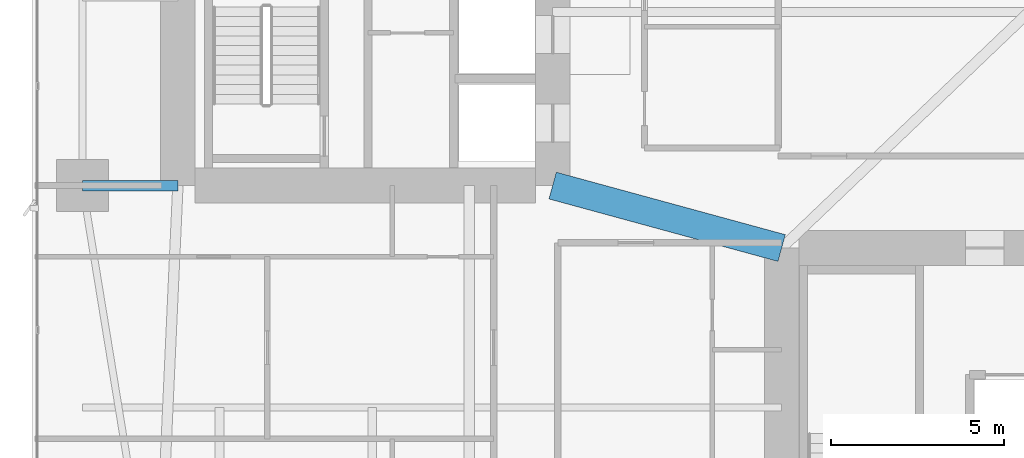
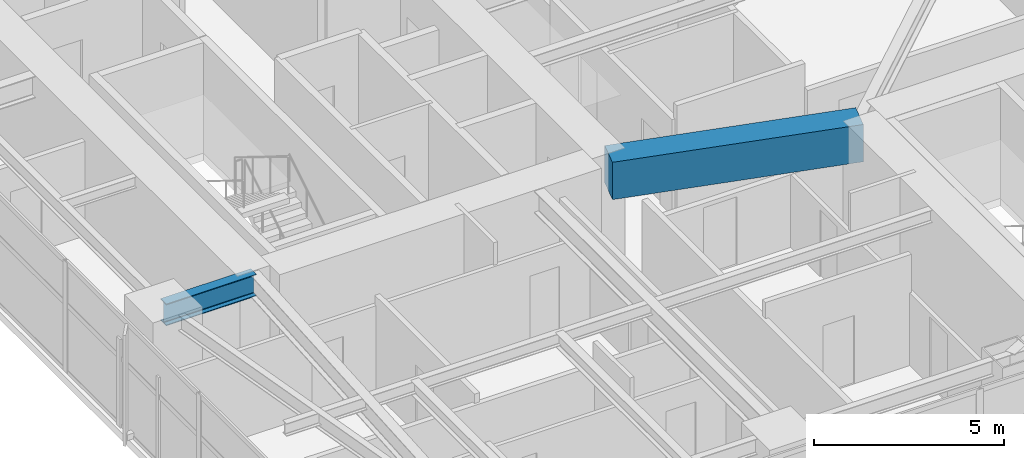
# One storey, part 7 of 29: 2 beams.
"""IFC4 building model written with IfcOpenShell, lengths in metres."""

from ifc_helpers import new_model, si_unit, direction, frame, origin, origin_2d, place, context, subcontext, project, spatial, rectangle, i_section, extrude, material, material_profile, profile_set, type_object, element, save


model = new_model("IFC4")

# Units and contexts
model_context = context("Model", 3, precision=1e-05, world=origin(), true_north=direction((0.0, 1.0)))
body_context = subcontext(model_context, "Body", "Model", "MODEL_VIEW")
ifc_project = project(units=[si_unit("LENGTHUNIT", "METRE"), si_unit("AREAUNIT", "SQUARE_METRE"), si_unit("VOLUMEUNIT", "CUBIC_METRE"), si_unit("PLANEANGLEUNIT", "RADIAN"), si_unit("MASSUNIT", "GRAM", prefix="KILO")], contexts=[model_context])

# Site, building, storey
site_placement = place(None, origin())
site = spatial("IfcSite", under=ifc_project, at=site_placement, CompositionType="ELEMENT")
building_placement = place(site_placement, origin())
building = spatial("IfcBuilding", under=site, at=building_placement, Name="Calvorn Quay Hotel", CompositionType="ELEMENT")
storey_placement = place(building_placement, frame((0.0, 0.0, 38.39990234375)))
storey = spatial("IfcBuildingStorey", under=building, at=storey_placement, Name="L08", CompositionType="ELEMENT", Elevation=38.39990234375)

# Beams
ifc_material_1 = material(Name="Steel Q390GJC", Category="steel")
ifc_material_profile_1 = material_profile(ifc_material_1, i_section(OverallWidth=0.300048828125, OverallDepth=0.699951171875, WebThickness=0.012939453125, FlangeThickness=0.02392578125, FilletRadius=0.02392578125, at=origin_2d()), Name="HN700x300x13x24")
ifc_profile_set_1 = profile_set([ifc_material_profile_1], Name="Steel Q390GJC")
beam_type_1 = type_object("IfcBeamType", Name="BM-GIRD-MAIN", PredefinedType="BEAM", material=ifc_profile_set_1)
beam_1_placement = place(storey_placement, frame((1.449951171875, 16.800048828125, 3.190185546875), z_axis=(1.0, 0.0, 0.0), x_axis=(0.0, 1.0, 0.0)))
element("IfcBeam", 1, at=beam_1_placement, inside=storey, type_object=beam_type_1, Name="Beam BG-L08-W1", PredefinedType="BEAM", context=body_context, shape_type="SweptSolid", body=[
    extrude(i_section(OverallWidth=0.300048828125, OverallDepth=0.699951171875, WebThickness=0.012939453125, FlangeThickness=0.02392578125, FilletRadius=0.02392578125, at=origin_2d()), origin(), (0.0, 0.0, 1.0), 2.75),
])
ifc_material_2 = material(Name="Concrete C60", Category="concrete")
ifc_material_profile_2 = material_profile(ifc_material_2, rectangle(XDim=0.800048828125, YDim=1.199951171875, at=origin_2d()), Name="RCB800x1200")
ifc_profile_set_2 = profile_set([ifc_material_profile_2], Name="Concrete C60")
beam_type_2 = type_object("IfcBeamType", Name="BM-RC-LINK-800x1200", PredefinedType="BEAM", material=ifc_profile_set_2)
beam_2_placement = place(storey_placement, frame((15.0, 16.800048828125, 2.940185546875), z_axis=(0.964762997686, -0.263120425462, 0.0), x_axis=(0.263120425462, 0.964762997686, 0.0)))
element("IfcBeam", 2, at=beam_2_placement, inside=storey, type_object=beam_type_2, Name="Beam BCL-L08-01", PredefinedType="BEAM", context=body_context, shape_type="SweptSolid", body=[
    extrude(rectangle(XDim=0.800048828125, YDim=1.199951171875, at=origin_2d()), origin(), (0.0, 0.0, 1.0), 6.841064453125),
])

save(model, "model.ifc")
